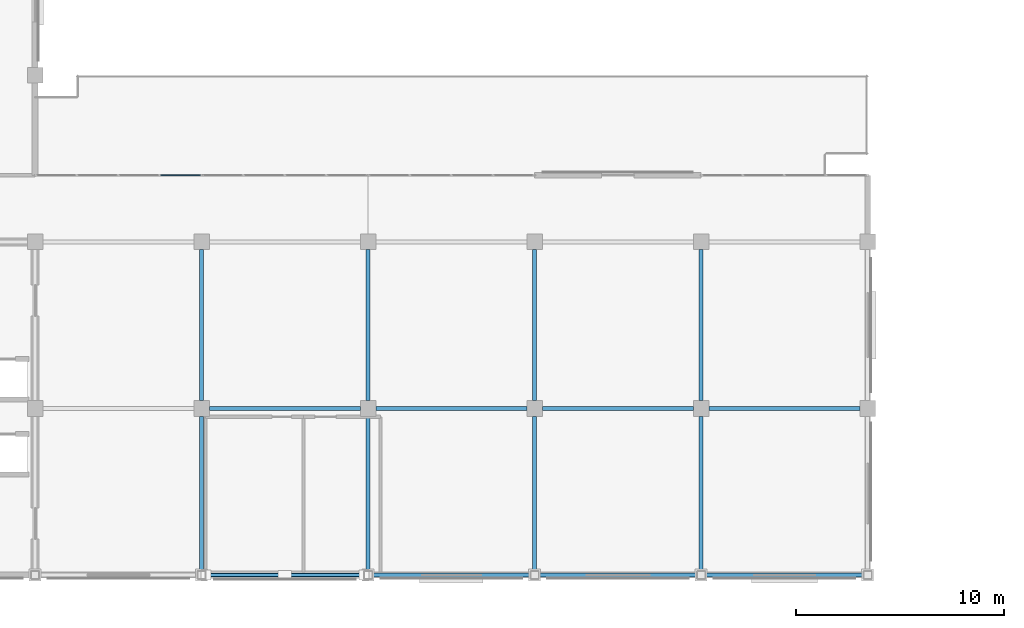
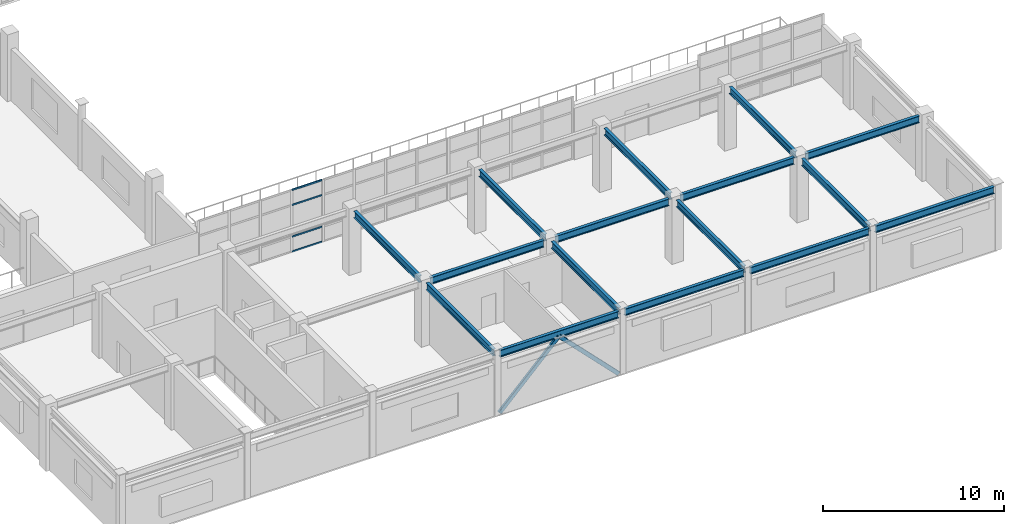
# One storey, part 14 of 42: 16 beams, 6 members, 1 element without a shape of its own.
"""IFC4 building model written with IfcOpenShell, lengths in metres."""

from ifc_helpers import new_model, si_unit, direction, frame, origin, origin_2d, place, context, subcontext, project, spatial, hollow_rectangle, i_section, extrude, material, material_profile, profile_set, type_object, element, aggregate, save


model = new_model("IFC4")

# Units and contexts
model_context = context("Model", 3, precision=1e-05, world=origin(), true_north=direction((0.0, 1.0)))
body_context = subcontext(model_context, "Body", "Model", "MODEL_VIEW")
ifc_project = project(units=[si_unit("LENGTHUNIT", "METRE"), si_unit("AREAUNIT", "SQUARE_METRE"), si_unit("VOLUMEUNIT", "CUBIC_METRE"), si_unit("PLANEANGLEUNIT", "RADIAN"), si_unit("MASSUNIT", "GRAM", prefix="KILO")], contexts=[model_context])

# Site, building, storey
site_placement = place(None, origin())
site = spatial("IfcSite", under=ifc_project, at=site_placement, CompositionType="ELEMENT")
building_placement = place(site_placement, origin())
building = spatial("IfcBuilding", under=site, at=building_placement, Name="Solmirada Galleria", CompositionType="ELEMENT")
storey_placement = place(building_placement, frame((0.0, 0.0, 28.39990234375)))
storey = spatial("IfcBuildingStorey", under=building, at=storey_placement, Name="L06", CompositionType="ELEMENT", Elevation=28.39990234375)

# Beams
ifc_material_1 = material(Name="Steel S355 / ASTM A992 Grade 50", Category="steel")
ifc_material_profile_1 = material_profile(ifc_material_1, i_section(OverallWidth=0.193115234375, OverallDepth=0.466064453125, WebThickness=0.011474609375, FlangeThickness=0.01904296875, FilletRadius=0.013916015625, at=origin_2d()), Name="W18X65")
ifc_profile_set_1 = profile_set([ifc_material_profile_1], Name="Steel S355 / ASTM A992 Grade 50")
beam_type = type_object("IfcBeamType", Name="BM-GIRD-W18C", PredefinedType="BEAM", material=ifc_profile_set_1)
beam_1_placement = place(storey_placement, frame((104.202880859375, 0.0, 4.0400390625), z_axis=(1.0, 0.0, 0.0), x_axis=(0.0, 1.0, 0.0)))
element("IfcBeam", 1, at=beam_1_placement, inside=storey, type_object=beam_type, Name="South roof girder X=104..112", PredefinedType="BEAM", context=body_context, shape_type="SweptSolid", body=[
    extrude(i_section(OverallWidth=0.193115234375, OverallDepth=0.466064453125, WebThickness=0.011474609375, FlangeThickness=0.01904296875, FilletRadius=0.013916015625, at=origin_2d()), origin(), (0.0, 0.0, 1.0), 7.59423828125),
])
beam_2_placement = place(storey_placement, frame((104.375, 8.0, 4.0400390625), z_axis=(1.0, 0.0, 0.0), x_axis=(0.0, 1.0, 0.0)))
element("IfcBeam", 2, at=beam_2_placement, inside=storey, type_object=beam_type, Name="South roof girder X=104..112", PredefinedType="BEAM", context=body_context, shape_type="SweptSolid", body=[
    extrude(i_section(OverallWidth=0.193115234375, OverallDepth=0.466064453125, WebThickness=0.011474609375, FlangeThickness=0.01904296875, FilletRadius=0.013916015625, at=origin_2d()), origin(), (0.0, 0.0, 1.0), 7.25),
])
beam_3_placement = place(storey_placement, frame((112.202880859375, 0.0, 4.0400390625), z_axis=(1.0, 0.0, 0.0), x_axis=(0.0, 1.0, 0.0)))
element("IfcBeam", 3, at=beam_3_placement, inside=storey, type_object=beam_type, Name="South roof girder X=112..120", PredefinedType="BEAM", context=body_context, shape_type="SweptSolid", body=[
    extrude(i_section(OverallWidth=0.193115234375, OverallDepth=0.466064453125, WebThickness=0.011474609375, FlangeThickness=0.01904296875, FilletRadius=0.013916015625, at=origin_2d()), origin(), (0.0, 0.0, 1.0), 7.59423828125),
])
beam_4_placement = place(storey_placement, frame((112.375, 8.0, 4.0400390625), z_axis=(1.0, 0.0, 0.0), x_axis=(0.0, 1.0, 0.0)))
element("IfcBeam", 4, at=beam_4_placement, inside=storey, type_object=beam_type, Name="South roof girder X=112..120", PredefinedType="BEAM", context=body_context, shape_type="SweptSolid", body=[
    extrude(i_section(OverallWidth=0.193115234375, OverallDepth=0.466064453125, WebThickness=0.011474609375, FlangeThickness=0.01904296875, FilletRadius=0.013916015625, at=origin_2d()), origin(), (0.0, 0.0, 1.0), 7.25),
])
beam_5_placement = place(storey_placement, frame((120.202880859375, 0.0, 4.0400390625), z_axis=(1.0, 0.0, 0.0), x_axis=(0.0, 1.0, 0.0)))
element("IfcBeam", 5, at=beam_5_placement, inside=storey, type_object=beam_type, Name="South roof girder X=120..128", PredefinedType="BEAM", context=body_context, shape_type="SweptSolid", body=[
    extrude(i_section(OverallWidth=0.193115234375, OverallDepth=0.466064453125, WebThickness=0.011474609375, FlangeThickness=0.01904296875, FilletRadius=0.013916015625, at=origin_2d()), origin(), (0.0, 0.0, 1.0), 7.59423828125),
])
beam_6_placement = place(storey_placement, frame((120.375, 8.0, 4.0400390625), z_axis=(1.0, 0.0, 0.0), x_axis=(0.0, 1.0, 0.0)))
element("IfcBeam", 6, at=beam_6_placement, inside=storey, type_object=beam_type, Name="South roof girder X=120..128", PredefinedType="BEAM", context=body_context, shape_type="SweptSolid", body=[
    extrude(i_section(OverallWidth=0.193115234375, OverallDepth=0.466064453125, WebThickness=0.011474609375, FlangeThickness=0.01904296875, FilletRadius=0.013916015625, at=origin_2d()), origin(), (0.0, 0.0, 1.0), 7.25),
])
beam_7_placement = place(storey_placement, frame((128.202880859375, 0.0, 4.0400390625), z_axis=(1.0, 0.0, 0.0), x_axis=(0.0, 1.0, 0.0)))
element("IfcBeam", 7, at=beam_7_placement, inside=storey, type_object=beam_type, Name="South roof girder X=128..136", PredefinedType="BEAM", context=body_context, shape_type="SweptSolid", body=[
    extrude(i_section(OverallWidth=0.193115234375, OverallDepth=0.466064453125, WebThickness=0.011474609375, FlangeThickness=0.01904296875, FilletRadius=0.013916015625, at=origin_2d()), origin(), (0.0, 0.0, 1.0), 7.59423828125),
])
beam_8_placement = place(storey_placement, frame((128.375, 8.0, 4.0400390625), z_axis=(1.0, 0.0, 0.0), x_axis=(0.0, 1.0, 0.0)))
element("IfcBeam", 8, at=beam_8_placement, inside=storey, type_object=beam_type, Name="South roof girder X=128..136", PredefinedType="BEAM", context=body_context, shape_type="SweptSolid", body=[
    extrude(i_section(OverallWidth=0.193115234375, OverallDepth=0.466064453125, WebThickness=0.011474609375, FlangeThickness=0.01904296875, FilletRadius=0.013916015625, at=origin_2d()), origin(), (0.0, 0.0, 1.0), 7.25),
])
beam_9_placement = place(storey_placement, frame((104.0, 0.202880859375, 4.0400390625), z_axis=(0.0, 1.0, 0.0), x_axis=(-1.0, 0.0, 0.0)))
element("IfcBeam", 9, at=beam_9_placement, inside=storey, type_object=beam_type, Name="South roof girder Y=0..8", PredefinedType="BEAM", context=body_context, shape_type="SweptSolid", body=[
    extrude(i_section(OverallWidth=0.193115234375, OverallDepth=0.466064453125, WebThickness=0.011474609375, FlangeThickness=0.01904296875, FilletRadius=0.013916015625, at=origin_2d()), origin(), (0.0, 0.0, 1.0), 7.422119140625),
])
beam_10_placement = place(storey_placement, frame((104.0, 8.375, 4.0400390625), z_axis=(0.0, 1.0, 0.0), x_axis=(-1.0, 0.0, 0.0)))
element("IfcBeam", 10, at=beam_10_placement, inside=storey, type_object=beam_type, Name="South roof girder Y=8..16", PredefinedType="BEAM", context=body_context, shape_type="SweptSolid", body=[
    extrude(i_section(OverallWidth=0.193115234375, OverallDepth=0.466064453125, WebThickness=0.011474609375, FlangeThickness=0.01904296875, FilletRadius=0.013916015625, at=origin_2d()), origin(), (0.0, 0.0, 1.0), 7.25),
])
beam_11_placement = place(storey_placement, frame((112.0, 0.202880859375, 4.0400390625), z_axis=(0.0, 1.0, 0.0), x_axis=(-1.0, 0.0, 0.0)))
element("IfcBeam", 11, at=beam_11_placement, inside=storey, type_object=beam_type, Name="South roof girder Y=0..8", PredefinedType="BEAM", context=body_context, shape_type="SweptSolid", body=[
    extrude(i_section(OverallWidth=0.193115234375, OverallDepth=0.466064453125, WebThickness=0.011474609375, FlangeThickness=0.01904296875, FilletRadius=0.013916015625, at=origin_2d()), origin(), (0.0, 0.0, 1.0), 7.422119140625),
])
beam_12_placement = place(storey_placement, frame((112.0, 8.375, 4.0400390625), z_axis=(0.0, 1.0, 0.0), x_axis=(-1.0, 0.0, 0.0)))
element("IfcBeam", 12, at=beam_12_placement, inside=storey, type_object=beam_type, Name="South roof girder Y=8..16", PredefinedType="BEAM", context=body_context, shape_type="SweptSolid", body=[
    extrude(i_section(OverallWidth=0.193115234375, OverallDepth=0.466064453125, WebThickness=0.011474609375, FlangeThickness=0.01904296875, FilletRadius=0.013916015625, at=origin_2d()), origin(), (0.0, 0.0, 1.0), 7.25),
])
beam_13_placement = place(storey_placement, frame((120.0, 0.202880859375, 4.0400390625), z_axis=(0.0, 1.0, 0.0), x_axis=(-1.0, 0.0, 0.0)))
element("IfcBeam", 13, at=beam_13_placement, inside=storey, type_object=beam_type, Name="South roof girder Y=0..8", PredefinedType="BEAM", context=body_context, shape_type="SweptSolid", body=[
    extrude(i_section(OverallWidth=0.193115234375, OverallDepth=0.466064453125, WebThickness=0.011474609375, FlangeThickness=0.01904296875, FilletRadius=0.013916015625, at=origin_2d()), origin(), (0.0, 0.0, 1.0), 7.422119140625),
])
beam_14_placement = place(storey_placement, frame((120.0, 8.375, 4.0400390625), z_axis=(0.0, 1.0, 0.0), x_axis=(-1.0, 0.0, 0.0)))
element("IfcBeam", 14, at=beam_14_placement, inside=storey, type_object=beam_type, Name="South roof girder Y=8..16", PredefinedType="BEAM", context=body_context, shape_type="SweptSolid", body=[
    extrude(i_section(OverallWidth=0.193115234375, OverallDepth=0.466064453125, WebThickness=0.011474609375, FlangeThickness=0.01904296875, FilletRadius=0.013916015625, at=origin_2d()), origin(), (0.0, 0.0, 1.0), 7.25),
])
beam_15_placement = place(storey_placement, frame((128.0, 0.202880859375, 4.0400390625), z_axis=(0.0, 1.0, 0.0), x_axis=(-1.0, 0.0, 0.0)))
element("IfcBeam", 15, at=beam_15_placement, inside=storey, type_object=beam_type, Name="South roof girder Y=0..8", PredefinedType="BEAM", context=body_context, shape_type="SweptSolid", body=[
    extrude(i_section(OverallWidth=0.193115234375, OverallDepth=0.466064453125, WebThickness=0.011474609375, FlangeThickness=0.01904296875, FilletRadius=0.013916015625, at=origin_2d()), origin(), (0.0, 0.0, 1.0), 7.422119140625),
])
beam_16_placement = place(storey_placement, frame((128.0, 8.375, 4.0400390625), z_axis=(0.0, 1.0, 0.0), x_axis=(-1.0, 0.0, 0.0)))
element("IfcBeam", 16, at=beam_16_placement, inside=storey, type_object=beam_type, Name="South roof girder Y=8..16", PredefinedType="BEAM", context=body_context, shape_type="SweptSolid", body=[
    extrude(i_section(OverallWidth=0.193115234375, OverallDepth=0.466064453125, WebThickness=0.011474609375, FlangeThickness=0.01904296875, FilletRadius=0.013916015625, at=origin_2d()), origin(), (0.0, 0.0, 1.0), 7.25),
])

# Curtain wall, members
ifc_material_2 = material(Name="Impact-resistant low-E double glazing", Category="glass")
curtain_wall_type = type_object("IfcCurtainWallType", Name="CW-FZ5-L06-B4-L080", PredefinedType="NOTDEFINED", material=ifc_material_2)
curtain_wall_placement = place(storey_placement, origin())
curtain_wall = element("IfcCurtainWall", 17, at=curtain_wall_placement, inside=storey, type_object=curtain_wall_type, Name="Terrace and arcade storefront CW-L06-198", PredefinedType="NOTDEFINED")
ifc_material_3 = material(Name="Anodised aluminium framing", Category="aluminium")
ifc_material_profile_2 = material_profile(ifc_material_3, hollow_rectangle(XDim=0.06005859375, YDim=0.110107421875, WallThickness=0.003173828125, InnerFilletRadius=0.003173828125, OuterFilletRadius=0.00634765625, at=origin_2d()), Name="ALU-TRAN-110X60")
ifc_profile_set_2 = profile_set([ifc_material_profile_2], Name="Anodised aluminium framing")
member_type_1 = type_object("IfcMemberType", Name="CW-TRAN-110", PredefinedType="USERDEFINED", material=ifc_profile_set_2)
member_1_placement = place(storey_placement, frame((102.030029296875, 19.199951171875, 0.030029296875), z_axis=(1.0, 0.0, 0.0), x_axis=(0.0, 1.0, 0.0)))
member_1 = element("IfcMember", 18, at=member_1_placement, type_object=member_type_1, Name="CW39 transom 4.1", ObjectType="TRANSOM", PredefinedType="USERDEFINED", context=body_context, shape_type="SweptSolid", body=[
    extrude(hollow_rectangle(XDim=0.06005859375, YDim=0.110107421875, WallThickness=0.003173828125, InnerFilletRadius=0.003173828125, OuterFilletRadius=0.00634765625, at=origin_2d()), origin(), (0.0, 0.0, 1.0), 1.909912109375),
])
member_2_placement = place(storey_placement, frame((102.030029296875, 19.199951171875, 1.0400390625), z_axis=(1.0, 0.0, 0.0), x_axis=(0.0, 1.0, 0.0)))
member_2 = element("IfcMember", 19, at=member_2_placement, type_object=member_type_1, Name="CW39 transom 4.2", ObjectType="TRANSOM", PredefinedType="USERDEFINED", context=body_context, shape_type="SweptSolid", body=[
    extrude(hollow_rectangle(XDim=0.06005859375, YDim=0.110107421875, WallThickness=0.003173828125, InnerFilletRadius=0.003173828125, OuterFilletRadius=0.00634765625, at=origin_2d()), origin(), (0.0, 0.0, 1.0), 1.909912109375),
])
member_3_placement = place(storey_placement, frame((102.030029296875, 19.199951171875, 3.18017578125), z_axis=(1.0, 0.0, 0.0), x_axis=(0.0, 1.0, 0.0)))
member_3 = element("IfcMember", 20, at=member_3_placement, type_object=member_type_1, Name="CW39 transom 4.3", ObjectType="TRANSOM", PredefinedType="USERDEFINED", context=body_context, shape_type="SweptSolid", body=[
    extrude(hollow_rectangle(XDim=0.06005859375, YDim=0.110107421875, WallThickness=0.003173828125, InnerFilletRadius=0.003173828125, OuterFilletRadius=0.00634765625, at=origin_2d()), origin(), (0.0, 0.0, 1.0), 1.909912109375),
])
member_4_placement = place(storey_placement, frame((102.030029296875, 19.199951171875, 4.190185546875), z_axis=(1.0, 0.0, 0.0), x_axis=(0.0, 1.0, 0.0)))
member_4 = element("IfcMember", 21, at=member_4_placement, type_object=member_type_1, Name="CW39 transom 4.4", ObjectType="TRANSOM", PredefinedType="USERDEFINED", context=body_context, shape_type="SweptSolid", body=[
    extrude(hollow_rectangle(XDim=0.06005859375, YDim=0.110107421875, WallThickness=0.003173828125, InnerFilletRadius=0.003173828125, OuterFilletRadius=0.00634765625, at=origin_2d()), origin(), (0.0, 0.0, 1.0), 1.909912109375),
])
aggregate(curtain_wall, [member_1, member_2, member_3, member_4])

# Members
ifc_material_4 = material(Name="Steel S355 / ASTM A500 Grade C", Category="steel")
ifc_material_profile_3 = material_profile(ifc_material_4, hollow_rectangle(XDim=0.152099609375, YDim=0.25390625, WallThickness=0.0087890625, InnerFilletRadius=0.0087890625, OuterFilletRadius=0.017822265625, at=origin_2d()), Name="HSS10X6X3/8")
ifc_profile_set_3 = profile_set([ifc_material_profile_3], Name="Steel S355 / ASTM A500 Grade C")
member_type_2 = type_object("IfcMemberType", Name="MEM-CBF-EXT", PredefinedType="BRACE", material=ifc_profile_set_3)
for number, where, z_axis, x_axis, name in (
    (22, (104.202880859375, 0.0, 0.02001953125), (0.701266400883, 0.0, 0.712899316168), (0.0, 1.0, 0.0), "Braced frame diagonal CBF-S1 L06 A"),
    (23, (111.797119140625, 0.0, 0.02001953125), (-0.701266400883, 0.0, 0.712899316168), (0.0, -1.0, 0.0), "Braced frame diagonal CBF-S1 L06 B"),
):
    element("IfcMember", number, at=place(storey_placement, frame(where, z_axis=z_axis, x_axis=x_axis)), inside=storey, type_object=member_type_2, Name=name, PredefinedType="BRACE", context=body_context, shape_type="SweptSolid", body=[
        extrude(hollow_rectangle(XDim=0.152099609375, YDim=0.25390625, WallThickness=0.0087890625, InnerFilletRadius=0.0087890625, OuterFilletRadius=0.017822265625, at=origin_2d()), origin(), (0.0, 0.0, 1.0), 5.41455078125),
    ])

save(model, "model.ifc")
